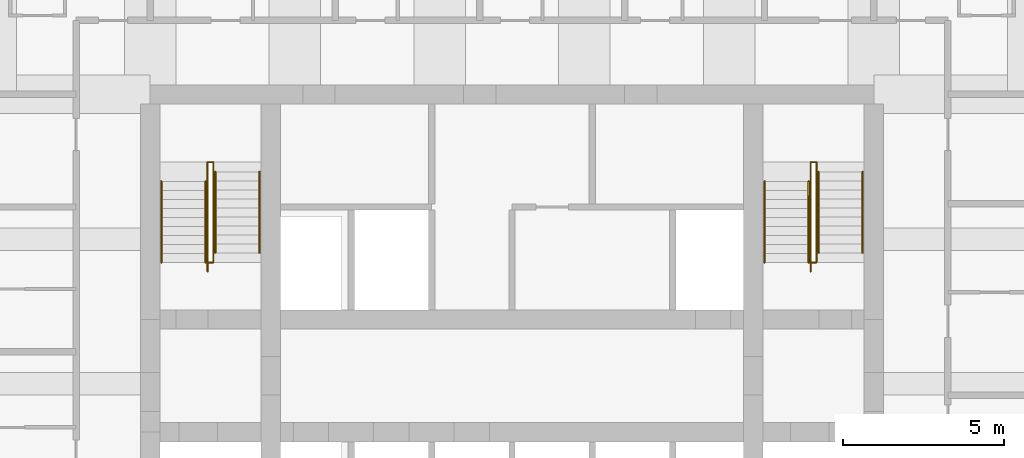
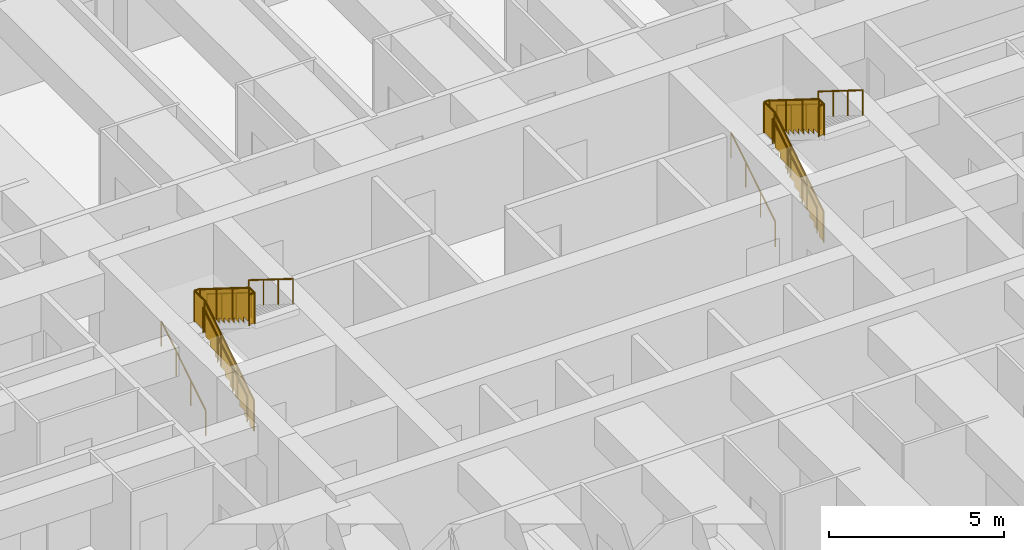
# One storey, part 8 of 8: 12 railings.
"""IFC4 building model written with IfcOpenShell, lengths in metres."""

from ifc_helpers import new_model, si_unit, direction, frame, origin, origin_2d, place, context, subcontext, project, spatial, polyline, circle, outline, extrude, material, type_object, element, save


model = new_model("IFC4")

# Units and contexts
model_context = context("Model", 3, precision=1e-05, world=origin(), true_north=direction((0.0, 1.0)))
body_context = subcontext(model_context, "Body", "Model", "MODEL_VIEW")
ifc_project = project(units=[si_unit("LENGTHUNIT", "METRE"), si_unit("AREAUNIT", "SQUARE_METRE"), si_unit("VOLUMEUNIT", "CUBIC_METRE"), si_unit("PLANEANGLEUNIT", "RADIAN"), si_unit("MASSUNIT", "GRAM", prefix="KILO")], contexts=[model_context])

# Site, building, storey
site_placement = place(None, origin())
site = spatial("IfcSite", under=ifc_project, at=site_placement, CompositionType="ELEMENT")
building_placement = place(site_placement, origin())
building = spatial("IfcBuilding", under=site, at=building_placement, Name="Kilele Tower Hotel", CompositionType="ELEMENT")
storey_placement = place(building_placement, frame((0.0, 0.0, 78.699951171875)))
storey = spatial("IfcBuildingStorey", under=building, at=storey_placement, Name="L19", CompositionType="ELEMENT", Elevation=78.699951171875)

# Railings
ifc_material_1 = material(Name="Steel handrail", Category="steel")
railing_type_1 = type_object("IfcRailingType", Name="Handrail 900", PredefinedType="HANDRAIL", material=ifc_material_1)
for number, where, name in (
    (1, (13.85009765625, 21.77490234375, 0.175048828125), "Handrail ST1 flight 1"),
    (2, (15.22509765625, 21.77490234375, 0.175048828125), "Handrail ST1 flight 1"),
):
    element("IfcRailing", number, at=place(storey_placement, frame(where)), inside=storey, type_object=railing_type_1, Name=name, PredefinedType="HANDRAIL", context=body_context, shape_type="SweptSolid", body=[
        extrude(circle(Radius=0.02490234375, at=origin_2d()), frame((0.0, 0.0, 0.875), z_axis=(0.0, 0.848007534815, 0.529984170421), x_axis=(-1.0, 0.0, 0.0)), (0.0, 0.0, 1.0), 2.9716796875),
        extrude(circle(Radius=0.02001953125, at=origin_2d()), origin(), (0.0, 0.0, 1.0), 0.849853515625),
        extrude(circle(Radius=0.02001953125, at=origin_2d()), frame((0.0, 0.840087890625, 0.52490234375)), (0.0, 0.0, 1.0), 0.849853515625),
        extrude(circle(Radius=0.02001953125, at=origin_2d()), frame((0.0, 1.679931640625, 1.050048828125)), (0.0, 0.0, 1.0), 0.849853515625),
        extrude(circle(Radius=0.02001953125, at=origin_2d()), frame((0.0, 2.52001953125, 1.574951171875)), (0.0, 0.0, 1.0), 0.849853515625),
    ])
for number, where, name in (
    (3, (15.52490234375, 24.594970703125, 1.925048828125), "Handrail ST1 flight 2"),
    (4, (16.89990234375, 24.594970703125, 1.925048828125), "Handrail ST1 flight 2"),
):
    element("IfcRailing", number, at=place(storey_placement, frame(where)), inside=storey, type_object=railing_type_1, Name=name, PredefinedType="HANDRAIL", context=body_context, shape_type="SweptSolid", body=[
        extrude(circle(Radius=0.02490234375, at=origin_2d()), frame((0.0, 0.0, 0.875), z_axis=(0.0, -0.848007534815, 0.529984170421), x_axis=(1.0, 0.0, 0.0)), (0.0, 0.0, 1.0), 2.9716796875),
        extrude(circle(Radius=0.02001953125, at=origin_2d()), origin(), (0.0, 0.0, 1.0), 0.849853515625),
        extrude(circle(Radius=0.02001953125, at=origin_2d()), frame((0.0, -0.840087890625, 0.52490234375)), (0.0, 0.0, 1.0), 0.849853515625),
        extrude(circle(Radius=0.02001953125, at=origin_2d()), frame((0.0, -1.679931640625, 1.050048828125)), (0.0, 0.0, 1.0), 0.849853515625),
        extrude(circle(Radius=0.02001953125, at=origin_2d()), frame((0.0, -2.52001953125, 1.574951171875)), (0.0, 0.0, 1.0), 0.849853515625),
    ])
for number, where, name in (
    (5, (32.60009765625, 21.77490234375, 0.175048828125), "Handrail ST2 flight 1"),
    (6, (33.97509765625, 21.77490234375, 0.175048828125), "Handrail ST2 flight 1"),
):
    element("IfcRailing", number, at=place(storey_placement, frame(where)), inside=storey, type_object=railing_type_1, Name=name, PredefinedType="HANDRAIL", context=body_context, shape_type="SweptSolid", body=[
        extrude(circle(Radius=0.02490234375, at=origin_2d()), frame((0.0, 0.0, 0.875), z_axis=(0.0, 0.848007534815, 0.529984170421), x_axis=(-1.0, 0.0, 0.0)), (0.0, 0.0, 1.0), 2.9716796875),
        extrude(circle(Radius=0.02001953125, at=origin_2d()), origin(), (0.0, 0.0, 1.0), 0.849853515625),
        extrude(circle(Radius=0.02001953125, at=origin_2d()), frame((0.0, 0.840087890625, 0.52490234375)), (0.0, 0.0, 1.0), 0.849853515625),
        extrude(circle(Radius=0.02001953125, at=origin_2d()), frame((0.0, 1.679931640625, 1.050048828125)), (0.0, 0.0, 1.0), 0.849853515625),
        extrude(circle(Radius=0.02001953125, at=origin_2d()), frame((0.0, 2.52001953125, 1.574951171875)), (0.0, 0.0, 1.0), 0.849853515625),
    ])
for number, where, name in (
    (7, (34.27490234375, 24.594970703125, 1.925048828125), "Handrail ST2 flight 2"),
    (8, (35.64990234375, 24.594970703125, 1.925048828125), "Handrail ST2 flight 2"),
):
    element("IfcRailing", number, at=place(storey_placement, frame(where)), inside=storey, type_object=railing_type_1, Name=name, PredefinedType="HANDRAIL", context=body_context, shape_type="SweptSolid", body=[
        extrude(circle(Radius=0.02490234375, at=origin_2d()), frame((0.0, 0.0, 0.875), z_axis=(0.0, -0.848007534815, 0.529984170421), x_axis=(1.0, 0.0, 0.0)), (0.0, 0.0, 1.0), 2.9716796875),
        extrude(circle(Radius=0.02001953125, at=origin_2d()), origin(), (0.0, 0.0, 1.0), 0.849853515625),
        extrude(circle(Radius=0.02001953125, at=origin_2d()), frame((0.0, -0.840087890625, 0.52490234375)), (0.0, 0.0, 1.0), 0.849853515625),
        extrude(circle(Radius=0.02001953125, at=origin_2d()), frame((0.0, -1.679931640625, 1.050048828125)), (0.0, 0.0, 1.0), 0.849853515625),
        extrude(circle(Radius=0.02001953125, at=origin_2d()), frame((0.0, -2.52001953125, 1.574951171875)), (0.0, 0.0, 1.0), 0.849853515625),
    ])
ifc_material_2 = material(Name="Steel guard", Category="steel")
railing_type_2 = type_object("IfcRailingType", Name="Stair guard 1100", PredefinedType="GUARDRAIL", material=ifc_material_2)
railing_1_placement = place(storey_placement, frame((15.284912109375, 21.4951171875, 0.0)))
element("IfcRailing", 9, at=railing_1_placement, inside=storey, type_object=railing_type_2, Name="Stair well guard ST1 flight 1", PredefinedType="GUARDRAIL", context=body_context, shape_type="SweptSolid", body=[
    extrude(circle(Radius=0.02490234375, at=origin_2d()), frame((0.0, 0.0, 1.0751953125), z_axis=(0.0, 0.847981687118, 0.530025526095), x_axis=(-1.0, 0.0, 0.0)), (0.0, 0.0, 1.0), 3.3017578125),
    extrude(circle(Radius=0.02490234375, at=origin_2d()), frame((0.0, 2.7998046875, 2.8251953125), z_axis=(0.0, 1.0, 0.0), x_axis=(-1.0, 0.0, 0.0)), (0.0, 0.0, 1.0), 0.60009765625),
    extrude(circle(Radius=0.02490234375, at=origin_2d()), frame((0.0, 3.39990234375, 2.8251953125), z_axis=(1.0, 0.0, 0.0), x_axis=(0.0, 1.0, 0.0)), (0.0, 0.0, 1.0), 0.18017578125),
    extrude(circle(Radius=0.02490234375, at=origin_2d()), origin(), (0.0, 0.0, 1.0), 1.050048828125),
    extrude(circle(Radius=0.02490234375, at=origin_2d()), frame((0.0, 0.933349609375, 0.583251953125)), (0.0, 0.0, 1.0), 1.050048828125),
    extrude(circle(Radius=0.02490234375, at=origin_2d()), frame((0.0, 1.866455078125, 1.166748046875)), (0.0, 0.0, 1.0), 1.050048828125),
    extrude(circle(Radius=0.02490234375, at=origin_2d()), frame((0.0, 2.7998046875, 1.75)), (0.0, 0.0, 1.0), 1.050048828125),
    extrude(circle(Radius=0.02490234375, at=origin_2d()), frame((0.0, 3.39990234375, 1.75)), (0.0, 0.0, 1.0), 1.050048828125),
    extrude(circle(Radius=0.02490234375, at=origin_2d()), frame((0.18017578125, 3.39990234375, 1.75)), (0.0, 0.0, 1.0), 1.050048828125),
    extrude(outline(polyline([(0.012451171875, 0.030029296875), (0.25, 0.030029296875), (0.25, 0.205078125), (0.530029296875, 0.205078125), (0.530029296875, 0.380126953125), (0.809814453125, 0.380126953125), (0.809814453125, 0.554931640625), (1.08984375, 0.554931640625), (1.08984375, 0.72998046875), (1.369873046875, 0.72998046875), (1.369873046875, 0.905029296875), (1.64990234375, 0.905029296875), (1.64990234375, 1.080078125), (1.929931640625, 1.080078125), (1.929931640625, 1.255126953125), (2.209716796875, 1.255126953125), (2.209716796875, 1.429931640625), (2.48974609375, 1.429931640625), (2.48974609375, 1.60498046875), (2.769775390625, 1.60498046875), (2.769775390625, 1.780029296875), (2.787353515625, 1.780029296875), (2.787353515625, 2.787841796875), (0.012451171875, 1.053466796875), (0.012451171875, 0.030029296875)])), frame((-0.005859375, 0.0, 0.0), z_axis=(1.0, 0.0, 0.0), x_axis=(0.0, 1.0, 0.0)), (0.0, 0.0, 1.0), 0.011962890625),
    extrude(outline(polyline([(0.012451171875, 0.030029296875), (0.587646484375, 0.030029296875), (0.587646484375, 1.050048828125), (0.012451171875, 1.050048828125), (0.012451171875, 0.030029296875)])), frame((-0.005859375, 2.7998046875, 1.75), z_axis=(1.0, 0.0, 0.0), x_axis=(0.0, 1.0, 0.0)), (0.0, 0.0, 1.0), 0.011962890625),
    extrude(outline(polyline([(0.012451171875, 0.030029296875), (0.18017578125, 0.030029296875), (0.18017578125, 1.050048828125), (0.012451171875, 1.050048828125), (0.012451171875, 0.030029296875)])), frame((0.0, 3.40576171875, 1.75), z_axis=(0.0, -1.0, 0.0), x_axis=(1.0, 0.0, 0.0)), (0.0, 0.0, 1.0), 0.011962890625),
])
railing_2_placement = place(storey_placement, frame((15.465087890625, 24.89501953125, 1.75)))
element("IfcRailing", 10, at=railing_2_placement, inside=storey, type_object=railing_type_2, Name="Stair well guard ST1 flight 2", PredefinedType="GUARDRAIL", context=body_context, shape_type="SweptSolid", body=[
    extrude(circle(Radius=0.02490234375, at=origin_2d()), frame((0.0, 0.0, 1.0751953125), z_axis=(0.0, -1.0, 0.0), x_axis=(1.0, 0.0, 0.0)), (0.0, 0.0, 1.0), 0.02001953125),
    extrude(circle(Radius=0.02490234375, at=origin_2d()), frame((0.0, -0.02001953125, 1.0751953125), z_axis=(0.0, -0.848002457836, 0.529992293815), x_axis=(1.0, 0.0, 0.0)), (0.0, 0.0, 1.0), 3.302001953125),
    extrude(circle(Radius=0.02490234375, at=origin_2d()), frame((0.0, -2.820068359375, 2.8251953125), z_axis=(0.0, -1.0, 0.0), x_axis=(1.0, 0.0, 0.0)), (0.0, 0.0, 1.0), 0.300048828125),
    extrude(circle(Radius=0.02490234375, at=origin_2d()), frame((0.0, -3.1201171875, 2.8251953125), z_axis=(-1.0, 0.0, 0.0), x_axis=(0.0, -1.0, 0.0)), (0.0, 0.0, 1.0), 0.18017578125),
    extrude(circle(Radius=0.02490234375, at=origin_2d()), origin(), (0.0, 0.0, 1.0), 1.050048828125),
    extrude(circle(Radius=0.02490234375, at=origin_2d()), frame((0.0, -0.02001953125, 0.0)), (0.0, 0.0, 1.0), 1.050048828125),
    extrude(circle(Radius=0.02490234375, at=origin_2d()), frame((0.0, -0.953369140625, 0.583251953125)), (0.0, 0.0, 1.0), 1.050048828125),
    extrude(circle(Radius=0.02490234375, at=origin_2d()), frame((0.0, -1.88671875, 1.166748046875)), (0.0, 0.0, 1.0), 1.050048828125),
    extrude(circle(Radius=0.02490234375, at=origin_2d()), frame((0.0, -2.820068359375, 1.75)), (0.0, 0.0, 1.0), 1.050048828125),
    extrude(circle(Radius=0.02490234375, at=origin_2d()), frame((0.0, -3.1201171875, 1.75)), (0.0, 0.0, 1.0), 1.050048828125),
    extrude(circle(Radius=0.02490234375, at=origin_2d()), frame((-0.18017578125, -3.1201171875, 1.75)), (0.0, 0.0, 1.0), 1.050048828125),
    extrude(outline(polyline([(0.012451171875, 0.030029296875), (0.25, 0.030029296875), (0.25, 0.205078125), (0.530029296875, 0.205078125), (0.530029296875, 0.380126953125), (0.81005859375, 0.380126953125), (0.81005859375, 0.554931640625), (1.090087890625, 0.554931640625), (1.090087890625, 0.72998046875), (1.3701171875, 0.72998046875), (1.3701171875, 0.905029296875), (1.64990234375, 0.905029296875), (1.64990234375, 1.080078125), (1.929931640625, 1.080078125), (1.929931640625, 1.255126953125), (2.2099609375, 1.255126953125), (2.2099609375, 1.429931640625), (2.489990234375, 1.429931640625), (2.489990234375, 1.60498046875), (2.77001953125, 1.60498046875), (2.77001953125, 1.780029296875), (2.78759765625, 1.780029296875), (2.78759765625, 2.787841796875), (0.012451171875, 1.053466796875), (0.012451171875, 0.030029296875)])), frame((0.005859375, -0.02001953125, 0.0), z_axis=(-1.0, 0.0, 0.0), x_axis=(0.0, -1.0, 0.0)), (0.0, 0.0, 1.0), 0.011962890625),
    extrude(outline(polyline([(0.012451171875, 0.030029296875), (0.28759765625, 0.030029296875), (0.28759765625, 1.050048828125), (0.012451171875, 1.050048828125), (0.012451171875, 0.030029296875)])), frame((0.005859375, -2.820068359375, 1.75), z_axis=(-1.0, 0.0, 0.0), x_axis=(0.0, -1.0, 0.0)), (0.0, 0.0, 1.0), 0.011962890625),
    extrude(outline(polyline([(0.012451171875, 0.030029296875), (0.18017578125, 0.030029296875), (0.18017578125, 1.050048828125), (0.012451171875, 1.050048828125), (0.012451171875, 0.030029296875)])), frame((0.0, -3.1259765625, 1.75), z_axis=(0.0, 1.0, 0.0), x_axis=(-1.0, 0.0, 0.0)), (0.0, 0.0, 1.0), 0.011962890625),
])
railing_3_placement = place(storey_placement, frame((34.034912109375, 21.4951171875, 0.0)))
element("IfcRailing", 11, at=railing_3_placement, inside=storey, type_object=railing_type_2, Name="Stair well guard ST2 flight 1", PredefinedType="GUARDRAIL", context=body_context, shape_type="SweptSolid", body=[
    extrude(circle(Radius=0.02490234375, at=origin_2d()), frame((0.0, 0.0, 1.0751953125), z_axis=(0.0, 0.847981687118, 0.530025526095), x_axis=(-1.0, 0.0, 0.0)), (0.0, 0.0, 1.0), 3.3017578125),
    extrude(circle(Radius=0.02490234375, at=origin_2d()), frame((0.0, 2.7998046875, 2.8251953125), z_axis=(0.0, 1.0, 0.0), x_axis=(-1.0, 0.0, 0.0)), (0.0, 0.0, 1.0), 0.60009765625),
    extrude(circle(Radius=0.02490234375, at=origin_2d()), frame((0.0, 3.39990234375, 2.8251953125), z_axis=(1.0, 0.0, 0.0), x_axis=(0.0, 1.0, 0.0)), (0.0, 0.0, 1.0), 0.18017578125),
    extrude(circle(Radius=0.02490234375, at=origin_2d()), origin(), (0.0, 0.0, 1.0), 1.050048828125),
    extrude(circle(Radius=0.02490234375, at=origin_2d()), frame((0.0, 0.933349609375, 0.583251953125)), (0.0, 0.0, 1.0), 1.050048828125),
    extrude(circle(Radius=0.02490234375, at=origin_2d()), frame((0.0, 1.866455078125, 1.166748046875)), (0.0, 0.0, 1.0), 1.050048828125),
    extrude(circle(Radius=0.02490234375, at=origin_2d()), frame((0.0, 2.7998046875, 1.75)), (0.0, 0.0, 1.0), 1.050048828125),
    extrude(circle(Radius=0.02490234375, at=origin_2d()), frame((0.0, 3.39990234375, 1.75)), (0.0, 0.0, 1.0), 1.050048828125),
    extrude(circle(Radius=0.02490234375, at=origin_2d()), frame((0.18017578125, 3.39990234375, 1.75)), (0.0, 0.0, 1.0), 1.050048828125),
    extrude(outline(polyline([(0.012451171875, 0.030029296875), (0.25, 0.030029296875), (0.25, 0.205078125), (0.530029296875, 0.205078125), (0.530029296875, 0.380126953125), (0.809814453125, 0.380126953125), (0.809814453125, 0.554931640625), (1.08984375, 0.554931640625), (1.08984375, 0.72998046875), (1.369873046875, 0.72998046875), (1.369873046875, 0.905029296875), (1.64990234375, 0.905029296875), (1.64990234375, 1.080078125), (1.929931640625, 1.080078125), (1.929931640625, 1.255126953125), (2.209716796875, 1.255126953125), (2.209716796875, 1.429931640625), (2.48974609375, 1.429931640625), (2.48974609375, 1.60498046875), (2.769775390625, 1.60498046875), (2.769775390625, 1.780029296875), (2.787353515625, 1.780029296875), (2.787353515625, 2.787841796875), (0.012451171875, 1.053466796875), (0.012451171875, 0.030029296875)])), frame((-0.005859375, 0.0, 0.0), z_axis=(1.0, 0.0, 0.0), x_axis=(0.0, 1.0, 0.0)), (0.0, 0.0, 1.0), 0.011962890625),
    extrude(outline(polyline([(0.012451171875, 0.030029296875), (0.587646484375, 0.030029296875), (0.587646484375, 1.050048828125), (0.012451171875, 1.050048828125), (0.012451171875, 0.030029296875)])), frame((-0.005859375, 2.7998046875, 1.75), z_axis=(1.0, 0.0, 0.0), x_axis=(0.0, 1.0, 0.0)), (0.0, 0.0, 1.0), 0.011962890625),
    extrude(outline(polyline([(0.012451171875, 0.030029296875), (0.18017578125, 0.030029296875), (0.18017578125, 1.050048828125), (0.012451171875, 1.050048828125), (0.012451171875, 0.030029296875)])), frame((0.0, 3.40576171875, 1.75), z_axis=(0.0, -1.0, 0.0), x_axis=(1.0, 0.0, 0.0)), (0.0, 0.0, 1.0), 0.011962890625),
])
railing_4_placement = place(storey_placement, frame((34.215087890625, 24.89501953125, 1.75)))
element("IfcRailing", 12, at=railing_4_placement, inside=storey, type_object=railing_type_2, Name="Stair well guard ST2 flight 2", PredefinedType="GUARDRAIL", context=body_context, shape_type="SweptSolid", body=[
    extrude(circle(Radius=0.02490234375, at=origin_2d()), frame((0.0, 0.0, 1.0751953125), z_axis=(0.0, -1.0, 0.0), x_axis=(1.0, 0.0, 0.0)), (0.0, 0.0, 1.0), 0.02001953125),
    extrude(circle(Radius=0.02490234375, at=origin_2d()), frame((0.0, -0.02001953125, 1.0751953125), z_axis=(0.0, -0.848002457836, 0.529992293815), x_axis=(1.0, 0.0, 0.0)), (0.0, 0.0, 1.0), 3.302001953125),
    extrude(circle(Radius=0.02490234375, at=origin_2d()), frame((0.0, -2.820068359375, 2.8251953125), z_axis=(0.0, -1.0, 0.0), x_axis=(1.0, 0.0, 0.0)), (0.0, 0.0, 1.0), 0.300048828125),
    extrude(circle(Radius=0.02490234375, at=origin_2d()), frame((0.0, -3.1201171875, 2.8251953125), z_axis=(-1.0, 0.0, 0.0), x_axis=(0.0, -1.0, 0.0)), (0.0, 0.0, 1.0), 0.18017578125),
    extrude(circle(Radius=0.02490234375, at=origin_2d()), origin(), (0.0, 0.0, 1.0), 1.050048828125),
    extrude(circle(Radius=0.02490234375, at=origin_2d()), frame((0.0, -0.02001953125, 0.0)), (0.0, 0.0, 1.0), 1.050048828125),
    extrude(circle(Radius=0.02490234375, at=origin_2d()), frame((0.0, -0.953369140625, 0.583251953125)), (0.0, 0.0, 1.0), 1.050048828125),
    extrude(circle(Radius=0.02490234375, at=origin_2d()), frame((0.0, -1.88671875, 1.166748046875)), (0.0, 0.0, 1.0), 1.050048828125),
    extrude(circle(Radius=0.02490234375, at=origin_2d()), frame((0.0, -2.820068359375, 1.75)), (0.0, 0.0, 1.0), 1.050048828125),
    extrude(circle(Radius=0.02490234375, at=origin_2d()), frame((0.0, -3.1201171875, 1.75)), (0.0, 0.0, 1.0), 1.050048828125),
    extrude(circle(Radius=0.02490234375, at=origin_2d()), frame((-0.18017578125, -3.1201171875, 1.75)), (0.0, 0.0, 1.0), 1.050048828125),
    extrude(outline(polyline([(0.012451171875, 0.030029296875), (0.25, 0.030029296875), (0.25, 0.205078125), (0.530029296875, 0.205078125), (0.530029296875, 0.380126953125), (0.81005859375, 0.380126953125), (0.81005859375, 0.554931640625), (1.090087890625, 0.554931640625), (1.090087890625, 0.72998046875), (1.3701171875, 0.72998046875), (1.3701171875, 0.905029296875), (1.64990234375, 0.905029296875), (1.64990234375, 1.080078125), (1.929931640625, 1.080078125), (1.929931640625, 1.255126953125), (2.2099609375, 1.255126953125), (2.2099609375, 1.429931640625), (2.489990234375, 1.429931640625), (2.489990234375, 1.60498046875), (2.77001953125, 1.60498046875), (2.77001953125, 1.780029296875), (2.78759765625, 1.780029296875), (2.78759765625, 2.787841796875), (0.012451171875, 1.053466796875), (0.012451171875, 0.030029296875)])), frame((0.005859375, -0.02001953125, 0.0), z_axis=(-1.0, 0.0, 0.0), x_axis=(0.0, -1.0, 0.0)), (0.0, 0.0, 1.0), 0.011962890625),
    extrude(outline(polyline([(0.012451171875, 0.030029296875), (0.28759765625, 0.030029296875), (0.28759765625, 1.050048828125), (0.012451171875, 1.050048828125), (0.012451171875, 0.030029296875)])), frame((0.005859375, -2.820068359375, 1.75), z_axis=(-1.0, 0.0, 0.0), x_axis=(0.0, -1.0, 0.0)), (0.0, 0.0, 1.0), 0.011962890625),
    extrude(outline(polyline([(0.012451171875, 0.030029296875), (0.18017578125, 0.030029296875), (0.18017578125, 1.050048828125), (0.012451171875, 1.050048828125), (0.012451171875, 0.030029296875)])), frame((0.0, -3.1259765625, 1.75), z_axis=(0.0, 1.0, 0.0), x_axis=(-1.0, 0.0, 0.0)), (0.0, 0.0, 1.0), 0.011962890625),
])

save(model, "model.ifc")
